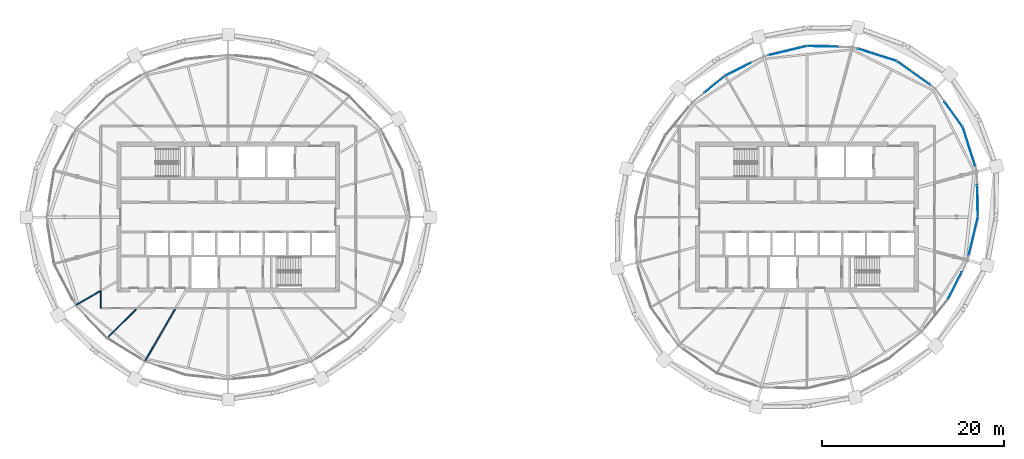
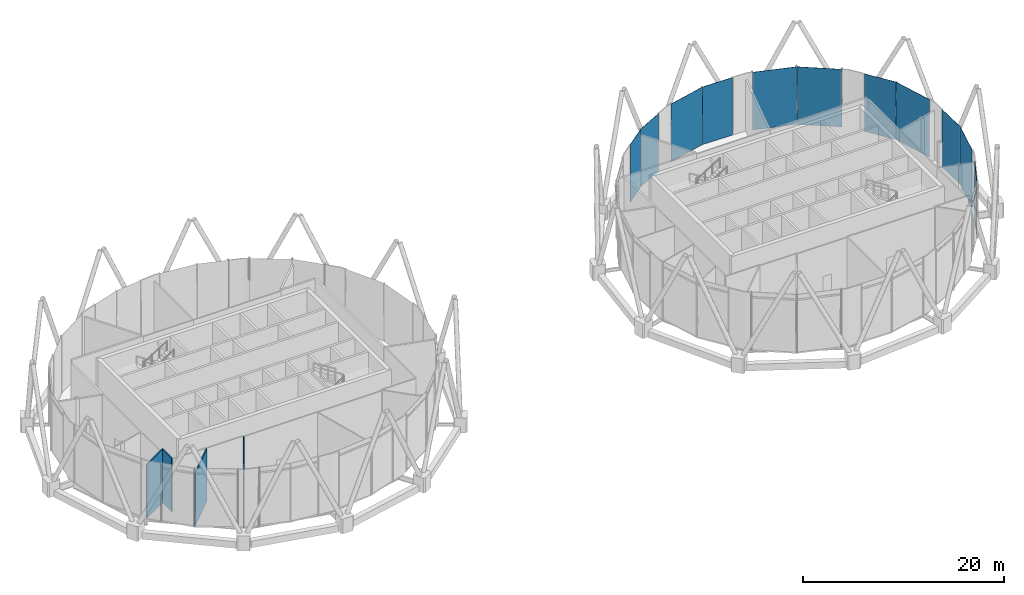
# One storey, part 17 of 28: 11 plates, 4 walls, 1 element without a shape of its own.
"""IFC4 building model written with IfcOpenShell, lengths in metres."""

from ifc_helpers import new_model, si_unit, direction, frame, frame_2d, origin, origin_2d, place, context, subcontext, project, spatial, rectangle, extrude, material, layer, layer_set, type_object, element, aggregate, save


model = new_model("IFC4")

# Units and contexts
model_context = context("Model", 3, precision=1e-05, world=origin(), true_north=direction((0.0, 1.0)))
body_context = subcontext(model_context, "Body", "Model", "MODEL_VIEW")
ifc_project = project(units=[si_unit("LENGTHUNIT", "METRE"), si_unit("AREAUNIT", "SQUARE_METRE"), si_unit("VOLUMEUNIT", "CUBIC_METRE"), si_unit("PLANEANGLEUNIT", "RADIAN"), si_unit("MASSUNIT", "GRAM", prefix="KILO")], contexts=[model_context])

# Site, building, storey
site_placement = place(None, origin())
site = spatial("IfcSite", under=ifc_project, at=site_placement, CompositionType="ELEMENT")
building_placement = place(site_placement, origin())
building = spatial("IfcBuilding", under=site, at=building_placement, Name="Rimbun Link Towers", CompositionType="ELEMENT")
storey_placement = place(building_placement, frame((0.0, 0.0, 256.10009765625)))
storey = spatial("IfcBuildingStorey", under=building, at=storey_placement, Name="L63", CompositionType="ELEMENT", Elevation=256.10009765625)

# Curtain wall, plates
ifc_material_1 = material(Name="Aluminium 6063-T6 and low-iron glass", Category="aluminium")
curtain_wall_type = type_object("IfcCurtainWallType", Name="CW5 full height lobby wall", PredefinedType="NOTDEFINED", material=ifc_material_1)
curtain_wall_placement = place(storey_placement, origin())
curtain_wall = element("IfcCurtainWall", 1, at=curtain_wall_placement, inside=storey, type_object=curtain_wall_type, Name="CW5 L63 T2", PredefinedType="NOTDEFINED")
ifc_material_2 = material(Name="Low-iron glass, laminated low-e unit", Category="glass")
ifc_layer_1 = layer(ifc_material_2, 0.031982421875)
ifc_layer_set_1 = layer_set([ifc_layer_1], Name="CW5 panel Low-iron glass 32")
plate_type = type_object("IfcPlateType", Name="CW5 panel Low-iron glass 32", PredefinedType="CURTAIN_PANEL", material=ifc_layer_set_1)
plate_1_placement = place(storey_placement, frame((43.461669921875, 15.779541015625, 0.0), z_axis=(0.0, 0.0, 1.0), x_axis=(0.812467608584, -0.583006333586, 0.0)))
plate_1 = element("IfcPlate", 2, at=plate_1_placement, type_object=plate_type, Name="CW5 panel", PredefinedType="CURTAIN_PANEL", context=body_context, shape_type="SweptSolid", body=[
    extrude(rectangle(XDim=4.484619140625, YDim=0.031982421875, at=origin_2d()), origin(), (0.0, 0.0, 1.0), 7.0),
])
plate_2_placement = place(storey_placement, frame((39.469482421875, 17.784423828125, 0.0), z_axis=(0.0, 0.0, 1.0), x_axis=(0.952966879851, -0.303074456046, 0.0)))
plate_2 = element("IfcPlate", 3, at=plate_2_placement, type_object=plate_type, Name="CW5 panel", PredefinedType="CURTAIN_PANEL", context=body_context, shape_type="SweptSolid", body=[
    extrude(rectangle(XDim=4.4716796875, YDim=0.031982421875, at=origin_2d()), origin(), (0.0, 0.0, 1.0), 7.0),
])
plate_3_placement = place(storey_placement, frame((33.47216796875, 18.7197265625, 0.0), z_axis=(0.0, 0.0, 1.0), x_axis=(0.9997781209, -0.021064400542, 0.0)))
plate_3 = element("IfcPlate", 4, at=plate_3_placement, type_object=plate_type, Name="CW5 panel", PredefinedType="CURTAIN_PANEL", context=body_context, shape_type="SweptSolid", body=[
    extrude(rectangle(XDim=3.404296875, YDim=0.031982421875, at=origin_2d()), origin(), (0.0, 0.0, 1.0), 7.0),
])
plate_4_placement = place(storey_placement, frame((29.654296875, 18.255126953125, 0.0), z_axis=(0.0, 0.0, 1.0), x_axis=(0.972571087452, 0.232605846557, 0.0)))
plate_4 = element("IfcPlate", 5, at=plate_4_placement, type_object=plate_type, Name="CW5 panel", PredefinedType="CURTAIN_PANEL", context=body_context, shape_type="SweptSolid", body=[
    extrude(rectangle(XDim=4.261962890625, YDim=0.031982421875, at=origin_2d()), origin(), (0.0, 0.0, 1.0), 7.0),
])
plate_5_placement = place(storey_placement, frame((24.24169921875, 16.228271484375, 0.0), z_axis=(0.0, 0.0, 1.0), x_axis=(0.893638831927, 0.448786851491, 0.0)))
plate_5 = element("IfcPlate", 6, at=plate_5_placement, type_object=plate_type, Name="CW5 panel", PredefinedType="CURTAIN_PANEL", context=body_context, shape_type="SweptSolid", body=[
    extrude(rectangle(XDim=3.18701171875, YDim=0.031982421875, at=origin_2d()), origin(), (0.0, 0.0, 1.0), 7.0),
])
plate_6_placement = place(storey_placement, frame((21.6484375, 14.57275390625, 0.0), z_axis=(0.0, 0.0, 1.0), x_axis=(0.777288893726, 0.629143843402, 0.0)))
plate_6 = element("IfcPlate", 7, at=plate_6_placement, type_object=plate_type, Name="CW5 panel", PredefinedType="CURTAIN_PANEL", context=body_context, shape_type="SweptSolid", body=[
    extrude(rectangle(XDim=2.914794921875, YDim=0.031982421875, at=origin_2d()), origin(), (0.0, 0.0, 1.0), 7.0),
])
plate_7_placement = place(storey_placement, frame((47.989501953125, -7.486083984375, 0.0), z_axis=(0.0, 0.0, 1.0), x_axis=(-0.448786851491, -0.893638831927, 0.0)))
plate_7 = element("IfcPlate", 8, at=plate_7_placement, type_object=plate_type, Name="CW5 panel", PredefinedType="CURTAIN_PANEL", context=body_context, shape_type="SweptSolid", body=[
    extrude(rectangle(XDim=3.237060546875, YDim=0.031982421875, at=origin_2d()), origin(), (0.0, 0.0, 1.0), 7.0),
])
plate_8_placement = place(storey_placement, frame((50.010986328125, -2.0712890625, 0.0), z_axis=(0.0, 0.0, 1.0), x_axis=(-0.232605846557, -0.972571087452, 0.0)))
plate_8 = element("IfcPlate", 9, at=plate_8_placement, type_object=plate_type, Name="CW5 panel", PredefinedType="CURTAIN_PANEL", context=body_context, shape_type="SweptSolid", body=[
    extrude(rectangle(XDim=4.2119140625, YDim=0.031982421875, at=origin_2d()), origin(), (0.0, 0.0, 1.0), 7.0),
])
plate_9_placement = place(storey_placement, frame((50.468994140625, 1.7470703125, 0.0), z_axis=(0.0, 0.0, 1.0), x_axis=(0.021064400542, -0.9997781209, 0.0)))
plate_9 = element("IfcPlate", 10, at=plate_9_placement, type_object=plate_type, Name="CW5 panel", PredefinedType="CURTAIN_PANEL", context=body_context, shape_type="SweptSolid", body=[
    extrude(rectangle(XDim=3.4541015625, YDim=0.031982421875, at=origin_2d()), origin(), (0.0, 0.0, 1.0), 7.0),
])
plate_10_placement = place(storey_placement, frame((49.534423828125, 7.719482421875, 0.0), z_axis=(0.0, 0.0, 1.0), x_axis=(0.303074456046, -0.952966879851, 0.0)))
plate_10 = element("IfcPlate", 11, at=plate_10_placement, type_object=plate_type, Name="CW5 panel", PredefinedType="CURTAIN_PANEL", context=body_context, shape_type="SweptSolid", body=[
    extrude(rectangle(XDim=4.4716796875, YDim=0.031982421875, at=origin_2d()), origin(), (0.0, 0.0, 1.0), 7.0),
])
plate_11_placement = place(storey_placement, frame((47.85009765625, 11.264892578125, 0.0), z_axis=(0.0, 0.0, 1.0), x_axis=(0.583006333586, -0.812467608584, 0.0)))
plate_11 = element("IfcPlate", 12, at=plate_11_placement, type_object=plate_type, Name="CW5 panel", PredefinedType="CURTAIN_PANEL", context=body_context, shape_type="SweptSolid", body=[
    extrude(rectangle(XDim=3.384765625, YDim=0.031982421875, at=origin_2d()), origin(), (0.0, 0.0, 1.0), 7.0),
])
aggregate(curtain_wall, [plate_1, plate_2, plate_3, plate_4, plate_5, plate_6, plate_7, plate_8, plate_9, plate_10, plate_11])

# Walls
ifc_material_3 = material(Name="Gypsum board on steel studs", Category="steel")
ifc_layer_2 = layer(ifc_material_3, 0.125)
ifc_layer_set_2 = layer_set([ifc_layer_2], Name="Partition 125 board on studs")
wall_type = type_object("IfcWallType", Name="Partition 125 board on studs", PredefinedType="PARTITIONING", material=ifc_layer_set_2)
wall_1_placement = place(storey_placement, frame((-45.75, -8.0830078125, 0.0), z_axis=(0.0, 0.0, 1.0), x_axis=(0.0, -1.0, 0.0)))
element("IfcWall", 13, at=wall_1_placement, inside=storey, type_object=wall_type, Name="TW/PW/L63/002", PredefinedType="PARTITIONING", context=body_context, shape_type="SweptSolid", body=[
    extrude(rectangle(XDim=1.9169921875, YDim=0.125, at=frame_2d((0.95849609375, 0.0))), origin(), (0.0, 0.0, 1.0), 6.496826171875),
])
wall_2_placement = place(storey_placement, frame((-48.45751953125, -9.64599609375, 0.0), z_axis=(0.0, 0.0, 1.0), x_axis=(0.866029326177, 0.499993206155, 0.0)))
element("IfcWall", 14, at=wall_2_placement, inside=storey, type_object=wall_type, Name="TW/PW/L63/016", PredefinedType="PARTITIONING", context=body_context, shape_type="SweptSolid", body=[
    extrude(rectangle(XDim=3.01806640625, YDim=0.125, at=frame_2d((1.509033203125, 0.0))), origin(), (0.0, 0.0, 1.0), 6.496826171875),
])
wall_3_placement = place(storey_placement, frame((-45.0576171875, -13.3076171875, 0.0), z_axis=(0.0, 0.0, 1.0), x_axis=(0.707106781187, 0.707106781187, 0.0)))
element("IfcWall", 15, at=wall_3_placement, inside=storey, type_object=wall_type, Name="TW/PW/L63/018", PredefinedType="PARTITIONING", context=body_context, shape_type="SweptSolid", body=[
    extrude(rectangle(XDim=4.52685546875, YDim=0.125, at=frame_2d((2.263427734375, 0.0))), origin(), (0.0, 0.0, 1.0), 6.393798828125),
])
wall_4_placement = place(storey_placement, frame((-40.90625, -15.859130859375, 0.0), z_axis=(0.0, 0.0, 1.0), x_axis=(0.499996517727, 0.866027414267, 0.0)))
element("IfcWall", 16, at=wall_4_placement, inside=storey, type_object=wall_type, Name="TW/PW/L63/019", PredefinedType="PARTITIONING", context=body_context, shape_type="SweptSolid", body=[
    extrude(rectangle(XDim=6.6572265625, YDim=0.125, at=frame_2d((3.32861328125, 0.0))), origin(), (0.0, 0.0, 1.0), 6.346923828125),
])

save(model, "model.ifc")
